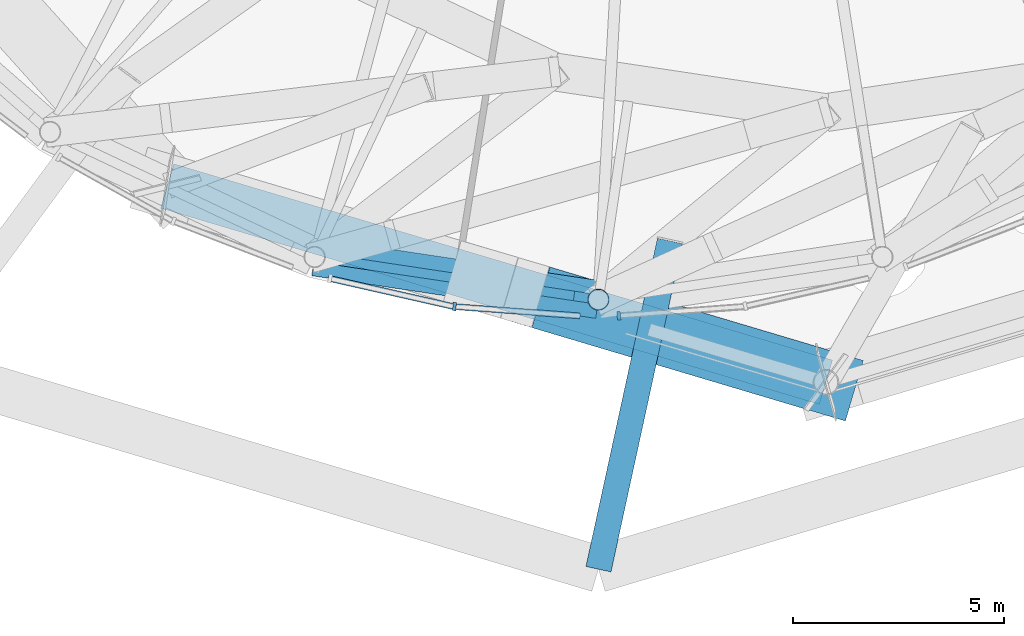
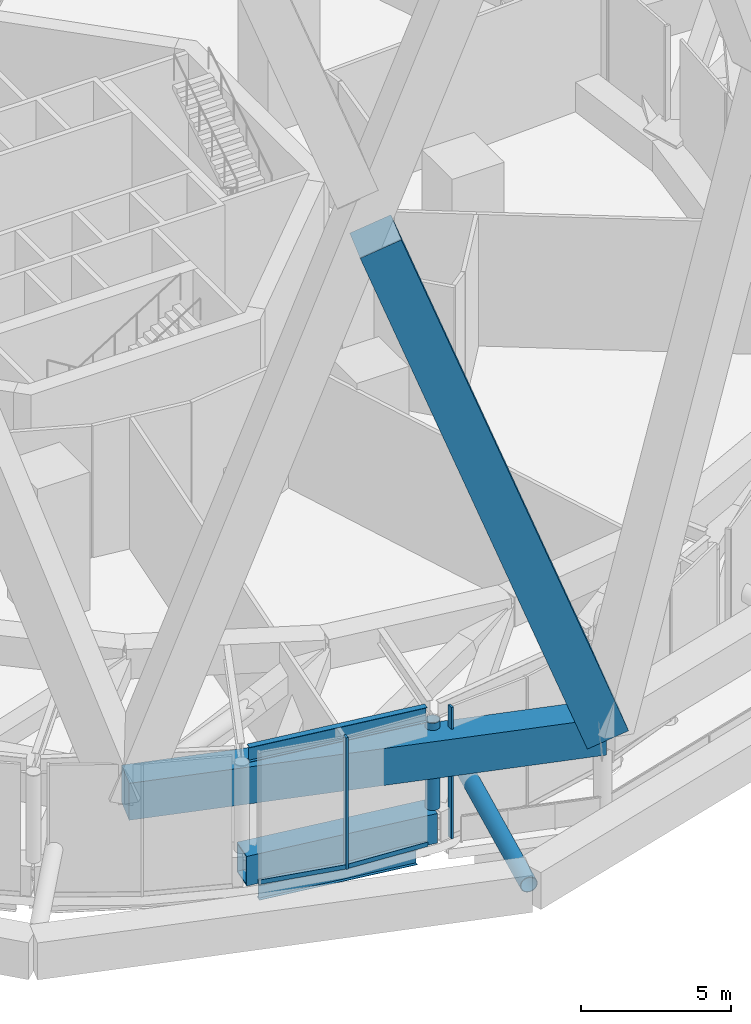
# One storey, part 6 of 49: 8 members, 3 beams, 3 elements without a shape of their own.
"""IFC4 building model written with IfcOpenShell, lengths in metres."""

from ifc_helpers import new_model, si_unit, direction, frame, origin, origin_2d, place, context, subcontext, project, spatial, rectangle, hollow_rectangle, hollow_circle, i_section, extrude, material, layer, layer_set, material_profile, profile_set, type_object, element, aggregate, save


model = new_model("IFC4")

# Units and contexts
model_context = context("Model", 3, precision=1e-05, world=origin(), true_north=direction((0.0, 1.0)))
body_context = subcontext(model_context, "Body", "Model", "MODEL_VIEW")
ifc_project = project(units=[si_unit("LENGTHUNIT", "METRE"), si_unit("AREAUNIT", "SQUARE_METRE"), si_unit("VOLUMEUNIT", "CUBIC_METRE"), si_unit("PLANEANGLEUNIT", "RADIAN"), si_unit("MASSUNIT", "GRAM", prefix="KILO")], contexts=[model_context])

# Site, building, storey
site_placement = place(None, origin())
site = spatial("IfcSite", under=ifc_project, at=site_placement, CompositionType="ELEMENT")
building_placement = place(site_placement, origin())
building = spatial("IfcBuilding", under=site, at=building_placement, Name="Nagisa Residences", CompositionType="ELEMENT")
storey_placement = place(building_placement, frame((0.0, 0.0, 160.300048828125)))
storey = spatial("IfcBuildingStorey", under=building, at=storey_placement, Name="L40", CompositionType="ELEMENT", Elevation=160.300048828125)

# Beam
ifc_material_1 = material(Name="Steel ASTM A572 Gr 50", Category="steel")
ifc_material_profile_1 = material_profile(ifc_material_1, hollow_rectangle(XDim=0.89990234375, YDim=1.199951171875, WallThickness=0.044921875, at=origin_2d()), Name="BX 900x1200x45")
ifc_profile_set_1 = profile_set([ifc_material_profile_1], Name="Steel ASTM A572 Gr 50")
beam_type_1 = type_object("IfcBeamType", Name="Belt chord 3 BX 900x1200x45", PredefinedType="BEAM", material=ifc_profile_set_1)
beam_1_placement = place(storey_placement, frame((-8.538330078125, -31.80078125, 0.599853515625), z_axis=(0.988910056119, -0.14851565879, 0.0), x_axis=(0.14851565879, 0.988910056119, 0.0)))
element("IfcBeam", 1, at=beam_1_placement, inside=storey, type_object=beam_type_1, Name="beam:L40:bt3b18", PredefinedType="BEAM", context=body_context, shape_type="SweptSolid", body=[
    extrude(hollow_rectangle(XDim=0.89990234375, YDim=1.199951171875, WallThickness=0.044921875, at=origin_2d()), origin(), (0.0, 0.0, 1.0), 6.81396484375),
])

# Curtain wall, member
ifc_material_2 = material(Name="Aluminium curtain wall system", Category="aluminium")
ifc_layer = layer(ifc_material_2, 0.159912109375)
ifc_layer_set = layer_set([ifc_layer], Name="CW2 CURTAIN WALL")
curtain_wall_type = type_object("IfcCurtainWallType", Name="CW2 CURTAIN WALL", PredefinedType="NOTDEFINED", material=ifc_layer_set)
curtain_wall_1_placement = place(storey_placement, origin())
curtain_wall_1 = element("IfcCurtainWall", 2, at=curtain_wall_1_placement, inside=storey, type_object=curtain_wall_type, Name="cw:CW2:L40:35", PredefinedType="NOTDEFINED")
ifc_material_3 = material(Name="Aluminium", Category="aluminium")
ifc_material_profile_2 = material_profile(ifc_material_3, rectangle(XDim=0.199951171875, YDim=0.080078125, at=origin_2d()), Name="CW2 MULLION 200x80")
ifc_profile_set_2 = profile_set([ifc_material_profile_2], Name="Aluminium")
member_type_1 = type_object("IfcMemberType", Name="CW2 MULLION 200x80", PredefinedType="MULLION", material=ifc_profile_set_2)
member_1_placement = place(storey_placement, frame((-5.2177734375, -32.9775390625, 0.0), z_axis=(0.0, 0.0, 1.0), x_axis=(0.074377355493, 0.997230168512, 0.0)))
member_1 = element("IfcMember", 3, at=member_1_placement, type_object=member_type_1, Name="CW2 mullion", PredefinedType="MULLION", context=body_context, shape_type="SweptSolid", body=[
    extrude(rectangle(XDim=0.199951171875, YDim=0.080078125, at=origin_2d()), origin(), (0.0, 0.0, 1.0), 5.33984375),
])

curtain_wall_2_placement = place(storey_placement, origin())
curtain_wall_2 = element("IfcCurtainWall", 4, at=curtain_wall_2_placement, inside=storey, type_object=curtain_wall_type, Name="cw:CW2:L40:36", PredefinedType="NOTDEFINED")
member_2_placement = place(storey_placement, frame((-1.3173828125, -33.196533203125, 0.0), z_axis=(0.0, 0.0, 1.0), x_axis=(-0.074377355493, 0.997230168512, 0.0)))
member_2 = element("IfcMember", 5, at=member_2_placement, type_object=member_type_1, Name="CW2 mullion", PredefinedType="MULLION", context=body_context, shape_type="SweptSolid", body=[
    extrude(rectangle(XDim=0.199951171875, YDim=0.080078125, at=origin_2d()), origin(), (0.0, 0.0, 1.0), 5.33984375),
])
aggregate(curtain_wall_2, [member_2])

curtain_wall_3_placement = place(storey_placement, origin())
curtain_wall_3 = element("IfcCurtainWall", 6, at=curtain_wall_3_placement, inside=storey, type_object=curtain_wall_type, Name="cw:CW2:L40:34", PredefinedType="NOTDEFINED")
ifc_material_4 = material(Name="Aluminium", Category="aluminium")
ifc_material_profile_3 = material_profile(ifc_material_4, rectangle(XDim=0.139892578125, YDim=0.179931640625, at=origin_2d()), Name="CW2 TRANSOM 140x180")
ifc_profile_set_3 = profile_set([ifc_material_profile_3], Name="Aluminium")
member_type_2 = type_object("IfcMemberType", Name="CW2 TRANSOM 140x180", PredefinedType="USERDEFINED", material=ifc_profile_set_3)
member_3_placement = place(storey_placement, frame((-8.211181640625, -32.30517578125, 0.08984375), z_axis=(0.975331243062, -0.220746384586, 0.0), x_axis=(0.220746384586, 0.975331243062, 0.0)))
member_3 = element("IfcMember", 7, at=member_3_placement, type_object=member_type_2, Name="CW2 transom", ObjectType="TRANSOM", PredefinedType="USERDEFINED", context=body_context, shape_type="SweptSolid", body=[
    extrude(rectangle(XDim=0.139892578125, YDim=0.179931640625, at=origin_2d()), origin(), (0.0, 0.0, 1.0), 3.040283203125),
])
aggregate(curtain_wall_3, [member_3])

# Member
member_4_placement = place(storey_placement, frame((-5.257568359375, -32.974609375, 0.08984375), z_axis=(0.997229943857, -0.074380367533, 0.0), x_axis=(0.074380367533, 0.997229943857, 0.0)))
member_4 = element("IfcMember", 8, at=member_4_placement, type_object=member_type_2, Name="CW2 transom", ObjectType="TRANSOM", PredefinedType="USERDEFINED", context=body_context, shape_type="SweptSolid", body=[
    extrude(rectangle(XDim=0.139892578125, YDim=0.179931640625, at=origin_2d()), origin(), (0.0, 0.0, 1.0), 3.02294921875),
])

aggregate(curtain_wall_1, [member_1, member_4])

# Members
ifc_material_5 = material(Name="Concrete C80", Category="concrete")
ifc_material_profile_4 = material_profile(ifc_material_5, rectangle(XDim=1.5, YDim=1.5, at=origin_2d()), Name="C80 1500x1500")
ifc_profile_set_4 = profile_set([ifc_material_profile_4], Name="Concrete C80")
member_type_3 = type_object("IfcMemberType", Name="Cage diagonal 4 C80 1500x1500", PredefinedType="BRACE", material=ifc_profile_set_4)
member_5_placement = place(storey_placement, frame((3.60009765625, -34.77490234375, 3.699951171875), z_axis=(-0.329928223686, 0.098291229376, 0.93887496582), x_axis=(-0.285515906184, -0.958373970492, 0.0)))
element("IfcMember", 9, at=member_5_placement, inside=storey, type_object=member_type_3, Name="mem:L40:cg4d018a", PredefinedType="BRACE", context=body_context, shape_type="SweptSolid", body=[
    extrude(rectangle(XDim=1.5, YDim=1.5, at=origin_2d()), origin(), (0.0, 0.0, 1.0), 22.558349609375),
])
ifc_material_6 = material(Name="Concrete C80", Category="concrete")
ifc_material_profile_5 = material_profile(ifc_material_6, rectangle(XDim=1.10009765625, YDim=1.5, at=origin_2d()), Name="C80 1100x1500")
ifc_profile_set_5 = profile_set([ifc_material_profile_5], Name="Concrete C80")
member_type_4 = type_object("IfcMemberType", Name="Cage ring 4 C80 1100x1500", PredefinedType="CHORD", material=ifc_profile_set_5)
member_6_placement = place(storey_placement, frame((-12.03759765625, -30.115966796875, 3.699951171875), z_axis=(0.958370614104, -0.285527172125, 0.0), x_axis=(0.285527172125, 0.958370614104, 0.0)))
element("IfcMember", 10, at=member_6_placement, inside=storey, type_object=member_type_4, Name="beam:L40:cg4r009", PredefinedType="CHORD", context=body_context, shape_type="SweptSolid", body=[
    extrude(rectangle(XDim=1.10009765625, YDim=1.5, at=origin_2d()), origin(), (0.0, 0.0, 1.0), 16.31689453125),
])
ifc_material_7 = material(Name="Steel ASTM A572 Gr 65", Category="steel")
ifc_material_profile_6 = material_profile(ifc_material_7, hollow_circle(Radius=0.304931640625, WallThickness=0.02490234375, at=origin_2d()), Name="CHS 610x25")
ifc_profile_set_6 = profile_set([ifc_material_profile_6], Name="Steel ASTM A572 Gr 65")
member_type_5 = type_object("IfcMemberType", Name="Cage strut CHS 610x25", PredefinedType="STRUT", material=ifc_profile_set_6)
member_7_placement = place(storey_placement, frame((-1.800048828125, -39.212646484375, 1.89990234375), z_axis=(0.212617721198, 0.977135458692, 0.0), x_axis=(-0.977135458692, 0.212617721198, 0.0)))
element("IfcMember", 11, at=member_7_placement, inside=storey, type_object=member_type_5, Name="mem:L40:bt3st3a10", PredefinedType="STRUT", context=body_context, shape_type="SweptSolid", body=[
    extrude(hollow_circle(Radius=0.304931640625, WallThickness=0.02490234375, at=origin_2d()), origin(), (0.0, 0.0, 1.0), 7.975830078125),
])

# Beam
ifc_material_8 = material(Name="Steel ASTM A572 Gr 50", Category="steel")
ifc_material_profile_7 = material_profile(ifc_material_8, i_section(OverallWidth=0.22802734375, OverallDepth=0.60302734375, WebThickness=0.010498046875, FlangeThickness=0.014892578125, at=origin_2d()), Name="W610x101")
ifc_profile_set_7 = profile_set([ifc_material_profile_7], Name="Steel ASTM A572 Gr 50")
beam_type_2 = type_object("IfcBeamType", Name="Garden edge beam W610x101", PredefinedType="BEAM", material=ifc_profile_set_7)
beam_2_placement = place(storey_placement, frame((-8.306884765625, -31.835693359375, 5.038330078125), z_axis=(0.988917154988, -0.148468382396, 0.0), x_axis=(0.148468382396, 0.988917154988, 0.0)))
element("IfcBeam", 12, at=beam_2_placement, inside=storey, type_object=beam_type_2, Name="beam:L40:bt3ge18", PredefinedType="BEAM", context=body_context, shape_type="SweptSolid", body=[
    extrude(i_section(OverallWidth=0.22802734375, OverallDepth=0.60302734375, WebThickness=0.010498046875, FlangeThickness=0.014892578125, at=origin_2d()), origin(), (0.0, 0.0, 1.0), 6.345703125),
])

# Member
ifc_material_9 = material(Name="Steel ASTM A572 Gr 65", Category="steel")
ifc_material_profile_8 = material_profile(ifc_material_9, hollow_circle(Radius=0.25390625, WallThickness=0.02001953125, at=origin_2d()), Name="CHS 508x20")
ifc_profile_set_8 = profile_set([ifc_material_profile_8], Name="Steel ASTM A572 Gr 65")
member_type_6 = type_object("IfcMemberType", Name="Garden edge post CHS 508x20", PredefinedType="POST", material=ifc_profile_set_8)
member_8_placement = place(storey_placement, frame((-1.800048828125, -32.812744140625, 1.199951171875), z_axis=(0.0, 0.0, 1.0), x_axis=(1.0, 0.0, 0.0)))
element("IfcMember", 13, at=member_8_placement, inside=storey, type_object=member_type_6, Name="mem:L40:gp319", PredefinedType="POST", context=body_context, shape_type="SweptSolid", body=[
    extrude(hollow_circle(Radius=0.25390625, WallThickness=0.02001953125, at=origin_2d()), origin(), (0.0, 0.0, 1.0), 3.537109375),
])

# Beam
ifc_material_10 = material(Name="Steel ASTM A572 Gr 50", Category="steel")
ifc_material_profile_9 = material_profile(ifc_material_10, i_section(OverallWidth=0.22802734375, OverallDepth=0.60302734375, WebThickness=0.010498046875, FlangeThickness=0.014892578125, at=origin_2d()), Name="W610x101")
ifc_profile_set_9 = profile_set([ifc_material_profile_9], Name="Steel ASTM A572 Gr 50")
beam_type_3 = type_object("IfcBeamType", Name="Perimeter ring beam W610x101", PredefinedType="BEAM", material=ifc_profile_set_9)
beam_3_placement = place(storey_placement, frame((-7.958251953125, -31.887939453125, -0.651611328125), z_axis=(0.9889122118, -0.148501304214, 0.0), x_axis=(0.148501304214, 0.9889122118, 0.0)))
element("IfcBeam", 14, at=beam_3_placement, inside=storey, type_object=beam_type_3, Name="beam:L40:pb18", PredefinedType="BEAM", context=body_context, shape_type="SweptSolid", body=[
    extrude(i_section(OverallWidth=0.22802734375, OverallDepth=0.60302734375, WebThickness=0.010498046875, FlangeThickness=0.014892578125, at=origin_2d()), origin(), (0.0, 0.0, 1.0), 5.640625),
])

save(model, "model.ifc")
